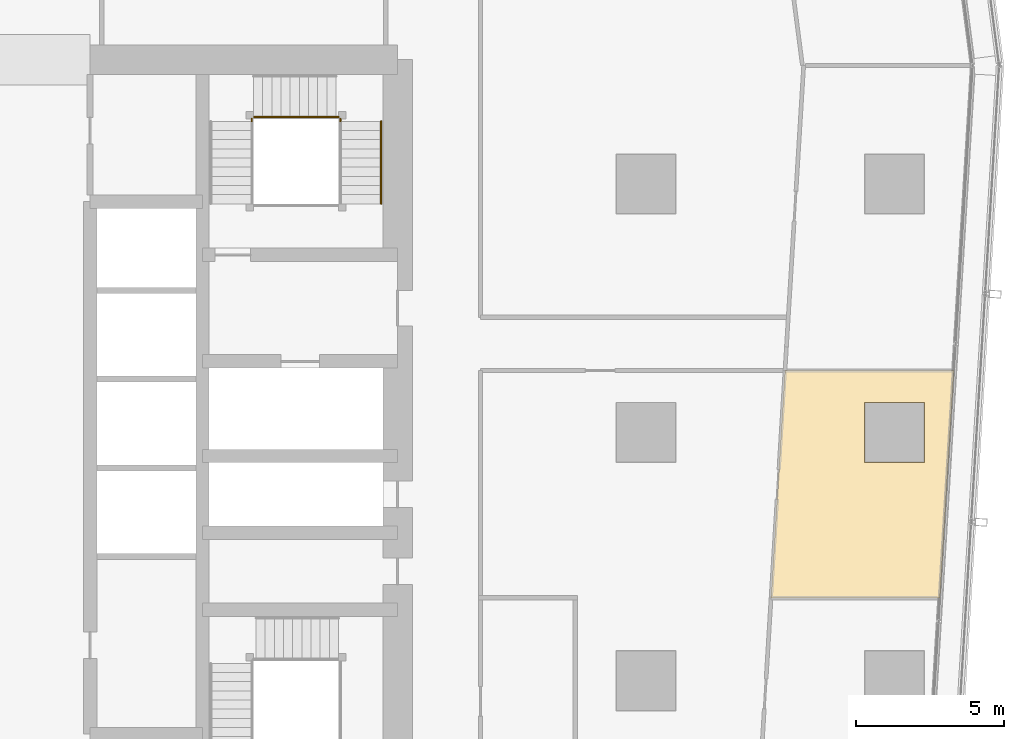
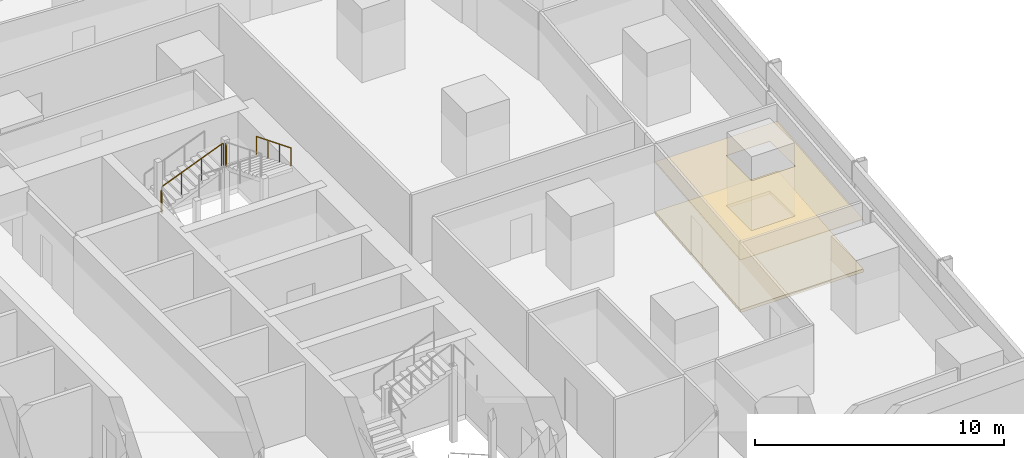
# One storey, part 38 of 39: 5 railings, 2 coverings.
"""IFC4 building model written with IfcOpenShell, lengths in metres."""

from ifc_helpers import new_model, si_unit, direction, frame, origin, origin_2d, place, context, subcontext, project, spatial, polyline, circle, outline, extrude, material, layer, layer_set, type_object, element, save


model = new_model("IFC4")

# Units and contexts
model_context = context("Model", 3, precision=1e-05, world=origin(), true_north=direction((0.0, 1.0)))
body_context = subcontext(model_context, "Body", "Model", "MODEL_VIEW")
ifc_project = project(units=[si_unit("LENGTHUNIT", "METRE"), si_unit("AREAUNIT", "SQUARE_METRE"), si_unit("VOLUMEUNIT", "CUBIC_METRE"), si_unit("PLANEANGLEUNIT", "RADIAN"), si_unit("MASSUNIT", "GRAM", prefix="KILO")], contexts=[model_context])

# Site, building, storey
site_placement = place(None, origin())
site = spatial("IfcSite", under=ifc_project, at=site_placement, CompositionType="ELEMENT")
building_placement = place(site_placement, origin())
building = spatial("IfcBuilding", under=site, at=building_placement, Name="Rekha Terrace Tower", CompositionType="ELEMENT")
storey_placement = place(building_placement, frame((0.0, 0.0, 147.800048828125)))
storey = spatial("IfcBuildingStorey", under=building, at=storey_placement, Name="L37", CompositionType="ELEMENT", Elevation=147.800048828125)

# Covering
ifc_material_1 = material(Name="Mineral fibre tile in exposed grid", Category="finish")
ifc_layer_1 = layer(ifc_material_1, 0.02001953125)
ifc_layer_set_1 = layer_set([ifc_layer_1], Name="Mineral fibre tile in exposed grid")
covering_type_1 = type_object("IfcCoveringType", Name="CL1 600x1200 office grid ceiling", PredefinedType="CEILING", material=ifc_layer_set_1)
covering_1_placement = place(storey_placement, frame((0.0, 0.0, 2.579833984375)))
element("IfcCovering", 1, at=covering_1_placement, inside=storey, type_object=covering_type_1, Name="Ceiling L37-04", PredefinedType="CEILING", context=body_context, shape_type="SweptSolid", body=[
    extrude(outline(polyline([(63.02392578125, 27.998046875), (68.735107421875, 27.998046875), (69.2060546875, 35.68603515625), (63.4951171875, 35.68603515625), (63.02392578125, 27.998046875)]), holes=[polyline([(68.215087890625, 34.614990234375), (68.215087890625, 32.5849609375), (66.18505859375, 32.5849609375), (66.18505859375, 34.614990234375), (68.215087890625, 34.614990234375)])]), origin(), (0.0, 0.0, 1.0), 0.02001953125),
])

# Railings
ifc_material_2 = material(Name="Stainless steel balustrade", Category="steel")
railing_type_1 = type_object("IfcRailingType", Name="GR1 1100 stair guard", PredefinedType="GUARDRAIL", material=ifc_material_2)
railing_1_placement = place(storey_placement, frame((45.52490234375, 44.260009765625, 1.375)))
element("IfcRailing", 2, at=railing_1_placement, inside=storey, type_object=railing_type_1, Name="Guard ST2 L37 flight 2", PredefinedType="GUARDRAIL", context=body_context, shape_type="SweptSolid", body=[
    extrude(circle(Radius=0.02392578125, at=origin_2d()), frame((0.0, 0.0, 1.076171875), z_axis=(0.927443287984, 0.0, 0.373963831907), x_axis=(0.0, 1.0, 0.0)), (0.0, 0.0, 1.0), 3.00830078125),
    extrude(circle(Radius=0.02099609375, at=origin_2d()), origin(), (0.0, 0.0, 1.0), 1.052001953125),
    extrude(circle(Radius=0.02099609375, at=origin_2d()), frame((0.929931640625, 0.0, 0.375)), (0.0, 0.0, 1.0), 1.052001953125),
    extrude(circle(Radius=0.02099609375, at=origin_2d()), frame((1.860107421875, 0.0, 0.75)), (0.0, 0.0, 1.0), 1.052001953125),
    extrude(circle(Radius=0.02099609375, at=origin_2d()), frame((2.7900390625, 0.0, 1.125)), (0.0, 0.0, 1.0), 1.052001953125),
])
railing_2_placement = place(storey_placement, frame((45.465087890625, 44.114990234375, 1.25)))
element("IfcRailing", 3, at=railing_2_placement, inside=storey, type_object=railing_type_1, Name="Guard ST2 L37 landing 1", PredefinedType="GUARDRAIL", context=body_context, shape_type="SweptSolid", body=[
    extrude(circle(Radius=0.02392578125, at=origin_2d()), frame((0.0, 0.0, 1.076171875), z_axis=(0.0, 1.0, 0.0), x_axis=(-1.0, 0.0, 0.0)), (0.0, 0.0, 1.0), 0.0849609375),
    extrude(circle(Radius=0.02099609375, at=origin_2d()), origin(), (0.0, 0.0, 1.0), 1.052001953125),
    extrude(circle(Radius=0.02099609375, at=origin_2d()), frame((0.0, 0.0849609375, 0.0)), (0.0, 0.0, 1.0), 1.052001953125),
])
railing_3_placement = place(storey_placement, frame((48.31494140625, 44.260009765625, 2.5)))
element("IfcRailing", 4, at=railing_3_placement, inside=storey, type_object=railing_type_1, Name="Guard ST2 L37 landing 2", PredefinedType="GUARDRAIL", context=body_context, shape_type="SweptSolid", body=[
    extrude(circle(Radius=0.02392578125, at=origin_2d()), frame((0.0, 0.0, 1.076171875), z_axis=(1.0, 0.0, 0.0), x_axis=(0.0, 1.0, 0.0)), (0.0, 0.0, 1.0), 0.0849609375),
    extrude(circle(Radius=0.02099609375, at=origin_2d()), origin(), (0.0, 0.0, 1.0), 1.052001953125),
    extrude(circle(Radius=0.02099609375, at=origin_2d()), frame((0.0849609375, 0.0, 0.0)), (0.0, 0.0, 1.0), 1.052001953125),
])
railing_4_placement = place(storey_placement, frame((48.4599609375, 44.114990234375, 2.5)))
element("IfcRailing", 5, at=railing_4_placement, inside=storey, type_object=railing_type_1, Name="Guard ST2 L37 landing 3", PredefinedType="GUARDRAIL", context=body_context, shape_type="SweptSolid", body=[
    extrude(circle(Radius=0.02392578125, at=origin_2d()), frame((0.0, 0.0, 1.076171875), z_axis=(0.0, 1.0, 0.0), x_axis=(-1.0, 0.0, 0.0)), (0.0, 0.0, 1.0), 0.0849609375),
    extrude(circle(Radius=0.02099609375, at=origin_2d()), origin(), (0.0, 0.0, 1.0), 1.052001953125),
    extrude(circle(Radius=0.02099609375, at=origin_2d()), frame((0.0, 0.0849609375, 0.0)), (0.0, 0.0, 1.0), 1.052001953125),
])
ifc_material_3 = material(Name="Stainless steel tube", Category="steel")
railing_type_2 = type_object("IfcRailingType", Name="HR1 900 stair handrail", PredefinedType="HANDRAIL", material=ifc_material_3)
railing_5_placement = place(storey_placement, frame((49.840087890625, 44.114990234375, 2.625)))
element("IfcRailing", 6, at=railing_5_placement, inside=storey, type_object=railing_type_2, Name="Handrail ST2 L37 flight 3", PredefinedType="HANDRAIL", context=body_context, shape_type="SweptSolid", body=[
    extrude(circle(Radius=0.02392578125, at=origin_2d()), frame((0.0, 0.0, 0.8759765625), z_axis=(0.0, -0.927443287984, 0.373963831907), x_axis=(1.0, 0.0, 0.0)), (0.0, 0.0, 1.0), 3.00830078125),
    extrude(circle(Radius=0.02099609375, at=origin_2d()), origin(), (0.0, 0.0, 1.0), 0.851806640625),
    extrude(circle(Radius=0.02099609375, at=origin_2d()), frame((0.0, -0.929931640625, 0.375)), (0.0, 0.0, 1.0), 0.851806640625),
    extrude(circle(Radius=0.02099609375, at=origin_2d()), frame((0.0, -1.860107421875, 0.75)), (0.0, 0.0, 1.0), 0.851806640625),
    extrude(circle(Radius=0.02099609375, at=origin_2d()), frame((0.0, -2.7900390625, 1.125)), (0.0, 0.0, 1.0), 0.851806640625),
])

# Covering
ifc_material_4 = material(Name="Calcium sulphate panels on steel pedestals", Category="steel")
ifc_layer_2 = layer(ifc_material_4, 0.14990234375)
ifc_layer_set_2 = layer_set([ifc_layer_2], Name="Calcium sulphate panels on steel pedestals")
covering_type_2 = type_object("IfcCoveringType", Name="RF1 150 raised access floor", PredefinedType="FLOORING", material=ifc_layer_set_2)
covering_2_placement = place(storey_placement, origin())
element("IfcCovering", 7, at=covering_2_placement, inside=storey, type_object=covering_type_2, Name="Raised floor L37-04", PredefinedType="FLOORING", context=body_context, shape_type="SweptSolid", body=[
    extrude(outline(polyline([(63.02392578125, 27.998046875), (68.735107421875, 27.998046875), (69.2060546875, 35.68603515625), (63.4951171875, 35.68603515625), (63.02392578125, 27.998046875)]), holes=[polyline([(68.215087890625, 34.614990234375), (68.215087890625, 32.5849609375), (66.18505859375, 32.5849609375), (66.18505859375, 34.614990234375), (68.215087890625, 34.614990234375)])]), origin(), (0.0, 0.0, 1.0), 0.14990234375),
])

save(model, "model.ifc")
